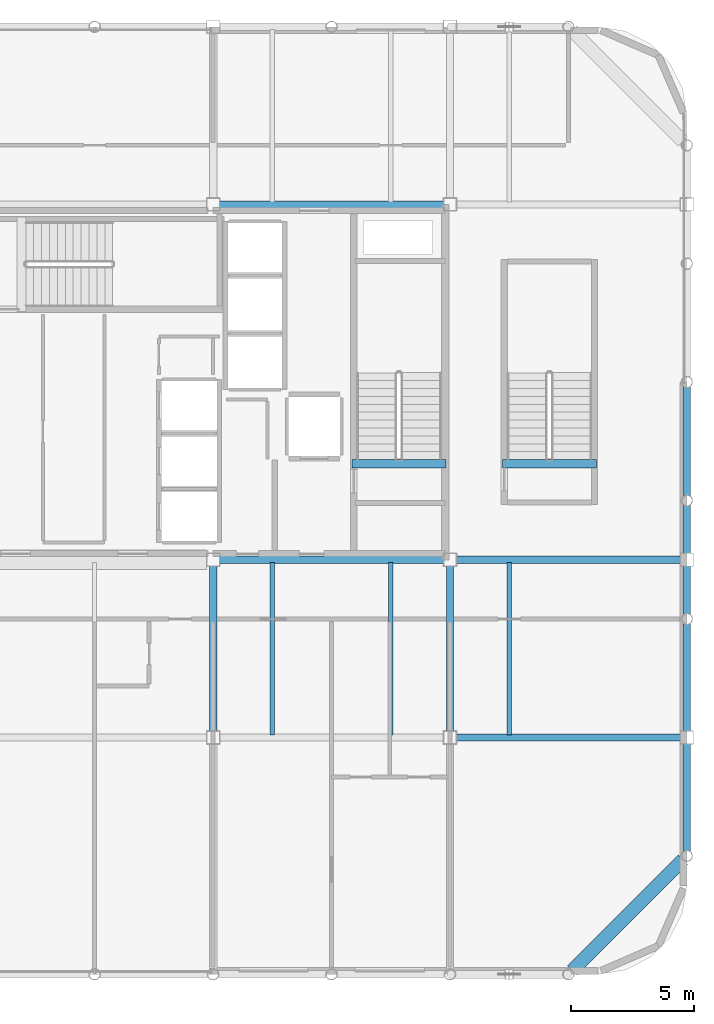
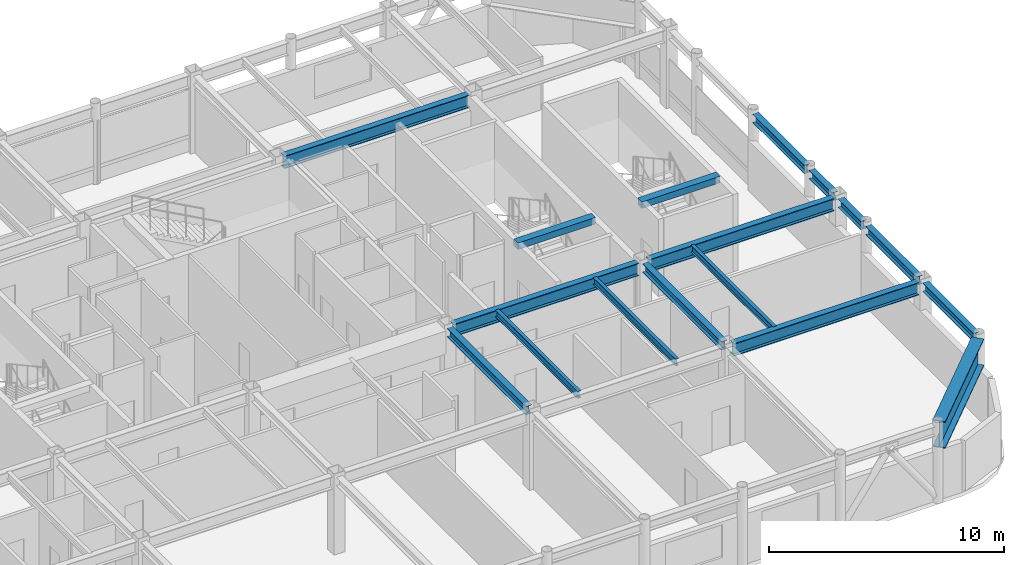
# One storey, part 10 of 21: 17 beams.
"""IFC4 building model written with IfcOpenShell, lengths in metres."""

from ifc_helpers import new_model, si_unit, direction, frame, origin, origin_2d, place, context, subcontext, project, spatial, rectangle, i_section, extrude, material, material_profile, profile_set, type_object, element, save


model = new_model("IFC4")

# Units and contexts
model_context = context("Model", 3, precision=1e-05, world=origin(), true_north=direction((0.0, 1.0)))
body_context = subcontext(model_context, "Body", "Model", "MODEL_VIEW")
ifc_project = project(units=[si_unit("LENGTHUNIT", "METRE"), si_unit("AREAUNIT", "SQUARE_METRE"), si_unit("VOLUMEUNIT", "CUBIC_METRE"), si_unit("PLANEANGLEUNIT", "RADIAN"), si_unit("MASSUNIT", "GRAM", prefix="KILO")], contexts=[model_context])

# Site, building, storey
site_placement = place(None, origin())
site = spatial("IfcSite", under=ifc_project, at=site_placement, CompositionType="ELEMENT")
building_placement = place(site_placement, origin())
building = spatial("IfcBuilding", under=site, at=building_placement, Name="Kallvorn Hotel Tower", CompositionType="ELEMENT")
storey_placement = place(building_placement, frame((0.0, 0.0, 286.39990234375)))
storey = spatial("IfcBuildingStorey", under=building, at=storey_placement, Name="L71", CompositionType="ELEMENT", Elevation=286.39990234375)

# Beams
ifc_material_1 = material(Name="Structural steel S355JR", Category="steel")
ifc_material_profile_1 = material_profile(ifc_material_1, i_section(OverallWidth=0.300048828125, OverallDepth=0.43994140625, WebThickness=0.011474609375, FlangeThickness=0.02099609375, at=origin_2d()), Name="HE 450 A")
ifc_profile_set_1 = profile_set([ifc_material_profile_1], Name="Structural steel S355JR")
beam_type_1 = type_object("IfcBeamType", Name="BM_HE450A", PredefinedType="BEAM", material=ifc_profile_set_1)
for number, where, z_axis, x_axis, name in (
    (1, (4.800048828125, -14.14990234375, 3.780029296875), (0.0, 1.0, 0.0), (-1.0, 0.0, 0.0), "L72 Primary Y-Girder 41"),
    (2, (14.39990234375, -14.14990234375, 3.780029296875), (0.0, 1.0, 0.0), (-1.0, 0.0, 0.0), "L72 Primary Y-Girder 44"),
):
    element("IfcBeam", number, at=place(storey_placement, frame(where, z_axis=z_axis, x_axis=x_axis)), inside=storey, type_object=beam_type_1, Name=name, PredefinedType="BEAM", context=body_context, shape_type="SweptSolid", body=[
        extrude(i_section(OverallWidth=0.300048828125, OverallDepth=0.43994140625, WebThickness=0.011474609375, FlangeThickness=0.02099609375, at=origin_2d()), origin(), (0.0, 0.0, 1.0), 6.699951171875),
    ])
beam_1_placement = place(storey_placement, frame((24.0, -18.99658203125, 3.780029296875), z_axis=(0.0, 1.0, 0.0), x_axis=(-1.0, 0.0, 0.0)))
element("IfcBeam", 3, at=beam_1_placement, inside=storey, type_object=beam_type_1, Name="L72 Primary Y-Girder 46", PredefinedType="BEAM", context=body_context, shape_type="SweptSolid", body=[
    extrude(i_section(OverallWidth=0.300048828125, OverallDepth=0.43994140625, WebThickness=0.011474609375, FlangeThickness=0.02099609375, at=origin_2d()), origin(), (0.0, 0.0, 1.0), 4.3466796875),
])
beam_2_placement = place(storey_placement, frame((24.0, -14.14990234375, 3.780029296875), z_axis=(0.0, 1.0, 0.0), x_axis=(-1.0, 0.0, 0.0)))
element("IfcBeam", 4, at=beam_2_placement, inside=storey, type_object=beam_type_1, Name="L72 Primary Y-Girder 47", PredefinedType="BEAM", context=body_context, shape_type="SweptSolid", body=[
    extrude(i_section(OverallWidth=0.300048828125, OverallDepth=0.43994140625, WebThickness=0.011474609375, FlangeThickness=0.02099609375, at=origin_2d()), origin(), (0.0, 0.0, 1.0), 4.346435546875),
])
for number, where, z_axis, x_axis, name in (
    (5, (24.0, -9.396484375, 3.780029296875), (0.0, 1.0, 0.0), (-1.0, 0.0, 0.0), "L72 Primary Y-Girder 48"),
    (6, (24.0, -6.949951171875, 3.780029296875), (0.0, 1.0, 0.0), (-1.0, 0.0, 0.0), "L72 Primary Y-Girder 49"),
):
    element("IfcBeam", number, at=place(storey_placement, frame(where, z_axis=z_axis, x_axis=x_axis)), inside=storey, type_object=beam_type_1, Name=name, PredefinedType="BEAM", context=body_context, shape_type="SweptSolid", body=[
        extrude(i_section(OverallWidth=0.300048828125, OverallDepth=0.43994140625, WebThickness=0.011474609375, FlangeThickness=0.02099609375, at=origin_2d()), origin(), (0.0, 0.0, 1.0), 1.946533203125),
    ])
beam_3_placement = place(storey_placement, frame((24.0, -4.596435546875, 3.780029296875), z_axis=(0.0, 1.0, 0.0), x_axis=(-1.0, 0.0, 0.0)))
element("IfcBeam", 7, at=beam_3_placement, inside=storey, type_object=beam_type_1, Name="L72 Primary Y-Girder 50", PredefinedType="BEAM", context=body_context, shape_type="SweptSolid", body=[
    extrude(i_section(OverallWidth=0.300048828125, OverallDepth=0.43994140625, WebThickness=0.011474609375, FlangeThickness=0.02099609375, at=origin_2d()), origin(), (0.0, 0.0, 1.0), 4.392822265625),
])
ifc_material_2 = material(Name="Structural steel S355JR", Category="steel")
ifc_material_profile_2 = material_profile(ifc_material_2, i_section(OverallWidth=0.300048828125, OverallDepth=0.64990234375, WebThickness=0.01611328125, FlangeThickness=0.031005859375, at=origin_2d()), Name="HE 650 B")
ifc_profile_set_2 = profile_set([ifc_material_profile_2], Name="Structural steel S355JR")
beam_type_2 = type_object("IfcBeamType", Name="BM_HE650B", PredefinedType="BEAM", material=ifc_profile_set_2)
beam_4_placement = place(storey_placement, frame((14.64990234375, -14.39990234375, 3.675048828125), z_axis=(1.0, 0.0, 0.0), x_axis=(0.0, 1.0, 0.0)))
element("IfcBeam", 8, at=beam_4_placement, inside=storey, type_object=beam_type_2, Name="L72 Primary X-Girder 06", PredefinedType="BEAM", context=body_context, shape_type="SweptSolid", body=[
    extrude(i_section(OverallWidth=0.300048828125, OverallDepth=0.64990234375, WebThickness=0.01611328125, FlangeThickness=0.031005859375, at=origin_2d()), origin(), (0.0, 0.0, 1.0), 9.10009765625),
])
beam_5_placement = place(storey_placement, frame((5.050048828125, -7.199951171875, 3.675048828125), z_axis=(1.0, 0.0, 0.0), x_axis=(0.0, 1.0, 0.0)))
element("IfcBeam", 9, at=beam_5_placement, inside=storey, type_object=beam_type_2, Name="L72 Primary X-Girder 09", PredefinedType="BEAM", context=body_context, shape_type="SweptSolid", body=[
    extrude(i_section(OverallWidth=0.300048828125, OverallDepth=0.64990234375, WebThickness=0.01611328125, FlangeThickness=0.031005859375, at=origin_2d()), origin(), (0.0, 0.0, 1.0), 9.099853515625),
])
beam_6_placement = place(storey_placement, frame((14.64990234375, -7.199951171875, 3.675048828125), z_axis=(1.0, 0.0, 0.0), x_axis=(0.0, 1.0, 0.0)))
element("IfcBeam", 10, at=beam_6_placement, inside=storey, type_object=beam_type_2, Name="L72 Primary X-Girder 10", PredefinedType="BEAM", context=body_context, shape_type="SweptSolid", body=[
    extrude(i_section(OverallWidth=0.300048828125, OverallDepth=0.64990234375, WebThickness=0.01611328125, FlangeThickness=0.031005859375, at=origin_2d()), origin(), (0.0, 0.0, 1.0), 9.10009765625),
])
beam_7_placement = place(storey_placement, frame((5.050048828125, 7.199951171875, 3.675048828125), z_axis=(1.0, 0.0, 0.0), x_axis=(0.0, 1.0, 0.0)))
element("IfcBeam", 11, at=beam_7_placement, inside=storey, type_object=beam_type_2, Name="L72 Primary X-Girder 14", PredefinedType="BEAM", context=body_context, shape_type="SweptSolid", body=[
    extrude(i_section(OverallWidth=0.300048828125, OverallDepth=0.64990234375, WebThickness=0.01611328125, FlangeThickness=0.031005859375, at=origin_2d()), origin(), (0.0, 0.0, 1.0), 9.099853515625),
])
ifc_material_3 = material(Name="Structural steel S355JR", Category="steel")
ifc_material_profile_3 = material_profile(ifc_material_3, i_section(OverallWidth=0.169921875, OverallDepth=0.360107421875, WebThickness=0.008056640625, FlangeThickness=0.0126953125, at=origin_2d()), Name="IPE 360")
ifc_profile_set_3 = profile_set([ifc_material_profile_3], Name="Structural steel S355JR")
beam_type_3 = type_object("IfcBeamType", Name="BM_IPE360", PredefinedType="JOIST", material=ifc_profile_set_3)
for number, where, z_axis, x_axis, name in (
    (12, (7.199951171875, -14.300048828125, 3.820068359375), (0.0, 1.0, 0.0), (-1.0, 0.0, 0.0), "L72 Secondary Composite Joist 99"),
    (13, (12.0, -14.300048828125, 3.820068359375), (0.0, 1.0, 0.0), (-1.0, 0.0, 0.0), "L72 Secondary Composite Joist 101"),
    (14, (16.800048828125, -14.300048828125, 3.820068359375), (0.0, 1.0, 0.0), (-1.0, 0.0, 0.0), "L72 Secondary Composite Joist 103"),
):
    element("IfcBeam", number, at=place(storey_placement, frame(where, z_axis=z_axis, x_axis=x_axis)), inside=storey, type_object=beam_type_3, Name=name, PredefinedType="JOIST", context=body_context, shape_type="SweptSolid", body=[
        extrude(i_section(OverallWidth=0.169921875, OverallDepth=0.360107421875, WebThickness=0.008056640625, FlangeThickness=0.0126953125, at=origin_2d()), origin(), (0.0, 0.0, 1.0), 7.0),
    ])
ifc_material_4 = material(Name="Structural steel S355JR", Category="steel")
ifc_material_profile_4 = material_profile(ifc_material_4, i_section(OverallWidth=0.550048828125, OverallDepth=1.39990234375, WebThickness=0.02490234375, FlangeThickness=0.044921875, at=origin_2d()), Name="PG 1400x550x25x45")
ifc_profile_set_4 = profile_set([ifc_material_profile_4], Name="Structural steel S355JR")
beam_type_4 = type_object("IfcBeamType", Name="BM_PG_1400", PredefinedType="BEAM", material=ifc_profile_set_4)
beam_8_placement = place(storey_placement, frame((23.845458984375, -19.3544921875, 3.300048828125), z_axis=(-0.707106781187, -0.707106781187, 0.0), x_axis=(0.707106781187, -0.707106781187, 0.0)))
element("IfcBeam", 15, at=beam_8_placement, inside=storey, type_object=beam_type_4, Name="L72 Rounded Corner Tie Beam 88", PredefinedType="BEAM", context=body_context, shape_type="SweptSolid", body=[
    extrude(i_section(OverallWidth=0.550048828125, OverallDepth=1.39990234375, WebThickness=0.02490234375, FlangeThickness=0.044921875, at=origin_2d()), origin(), (0.0, 0.0, 1.0), 6.35107421875),
])
ifc_material_5 = material(Name="Concrete C50/60", Category="concrete")
ifc_material_profile_5 = material_profile(ifc_material_5, rectangle(XDim=0.360107421875, YDim=0.340087890625, at=origin_2d()), Name="RC 360x340")
ifc_profile_set_5 = profile_set([ifc_material_profile_5], Name="Concrete C50/60")
beam_type_5 = type_object("IfcBeamType", Name="BM_RC_400x360", PredefinedType="BEAM", material=ifc_profile_set_5)
for number, where, z_axis, x_axis, name in (
    (16, (14.239990234375, -3.31005859375, 3.830078125), (-1.0, 0.0, 0.0), (0.0, -1.0, 0.0), "L72 Stair ST2 Arrival Trimmer Beam"),
    (17, (20.340087890625, -3.31005859375, 3.830078125), (-1.0, 0.0, 0.0), (0.0, -1.0, 0.0), "L72 Stair ST4 Arrival Trimmer Beam"),
):
    element("IfcBeam", number, at=place(storey_placement, frame(where, z_axis=z_axis, x_axis=x_axis)), inside=storey, type_object=beam_type_5, Name=name, PredefinedType="BEAM", context=body_context, shape_type="SweptSolid", body=[
        extrude(rectangle(XDim=0.360107421875, YDim=0.340087890625, at=origin_2d()), origin(), (0.0, 0.0, 1.0), 3.820068359375),
    ])

save(model, "model.ifc")
